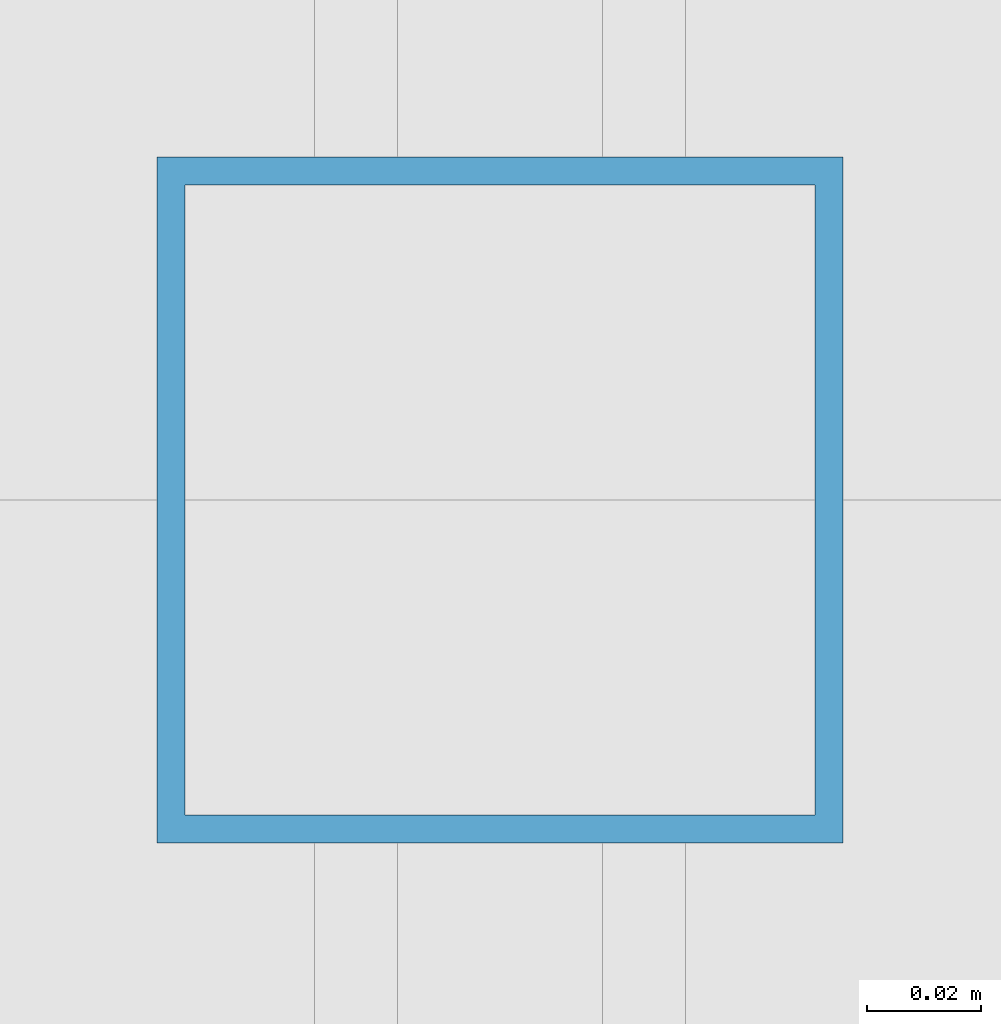
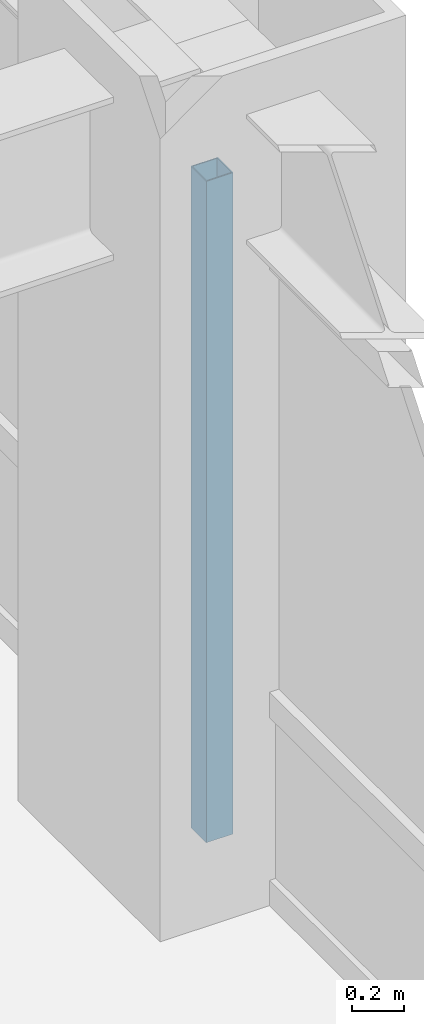
# One storey, part 10 of 28: 1 member, 1 element without a shape of its own.
"""IFC4 building model written with IfcOpenShell, lengths in metres."""

from ifc_helpers import new_model, si_unit, direction, frame, origin, origin_2d, place, context, subcontext, project, spatial, hollow_rectangle, extrude, source, transform, mapped, material, material_profile, profile_set, type_object, element, aggregate, save


model = new_model("IFC4")

# Units and contexts
model_context = context("Model", 3, precision=1e-05, world=origin(), true_north=direction((0.0, 1.0)))
body_context = subcontext(model_context, "Body", "Model", "MODEL_VIEW")
ifc_project = project(units=[si_unit("LENGTHUNIT", "METRE"), si_unit("AREAUNIT", "SQUARE_METRE"), si_unit("VOLUMEUNIT", "CUBIC_METRE"), si_unit("PLANEANGLEUNIT", "RADIAN"), si_unit("MASSUNIT", "GRAM", prefix="KILO")], contexts=[model_context])

# Site, building, storey
site_placement = place(None, origin())
site = spatial("IfcSite", under=ifc_project, at=site_placement, CompositionType="ELEMENT")
building_placement = place(site_placement, origin())
building = spatial("IfcBuilding", under=site, at=building_placement, Name="Khorayat Bourse Tower", CompositionType="ELEMENT")
storey_placement = place(building_placement, frame((0.0, 0.0, 191.10009765625)))
storey = spatial("IfcBuildingStorey", under=building, at=storey_placement, Name="L44", CompositionType="ELEMENT", Elevation=191.10009765625)

# Curtain wall, member
ifc_material = material(Name="Aluminium EN AW-6063 T6", Category="aluminium")
curtain_wall_type = type_object("IfcCurtainWallType", Name="CW-SYS-03", PredefinedType="NOTDEFINED", material=ifc_material)
curtain_wall_placement = place(storey_placement, origin())
curtain_wall = element("IfcCurtainWall", 1, at=curtain_wall_placement, inside=storey, type_object=curtain_wall_type, Name="L44 Curtain Wall CW-L44-E1", PredefinedType="NOTDEFINED")
ifc_material_profile = material_profile(ifc_material, hollow_rectangle(XDim=0.1201171875, YDim=0.1201171875, WallThickness=0.0048828125, at=origin_2d()), Name="ALU 120x120x5")
ifc_profile_set = profile_set([ifc_material_profile], Name="Aluminium EN AW-6063 T6")
member_type = type_object("IfcMemberType", Name="CWM-VERT-120", PredefinedType="MULLION", material=ifc_profile_set)
shared_shape = source(origin(), body_context, "Body", "SweptSolid", [
    extrude(hollow_rectangle(XDim=0.1201171875, YDim=0.1201171875, WallThickness=0.0048828125, at=origin_2d()), origin(), (0.0, 0.0, 1.0), 3.1298828125),
])
member_placement = place(storey_placement, frame((30.0, 0.0, 0.0), z_axis=(0.0, 0.0, 1.0), x_axis=(-1.0, 0.0, 0.0)))
member = element("IfcMember", 2, at=member_placement, type_object=member_type, Name="CW-L44-E1 Vertical Mullion 2", PredefinedType="MULLION", context=body_context, shape_type="MappedRepresentation", body=[
    mapped(shared_shape, transform((0.0, 0.0, 0.0), scale=1.0)),
])
aggregate(curtain_wall, [member])

save(model, "model.ifc")
